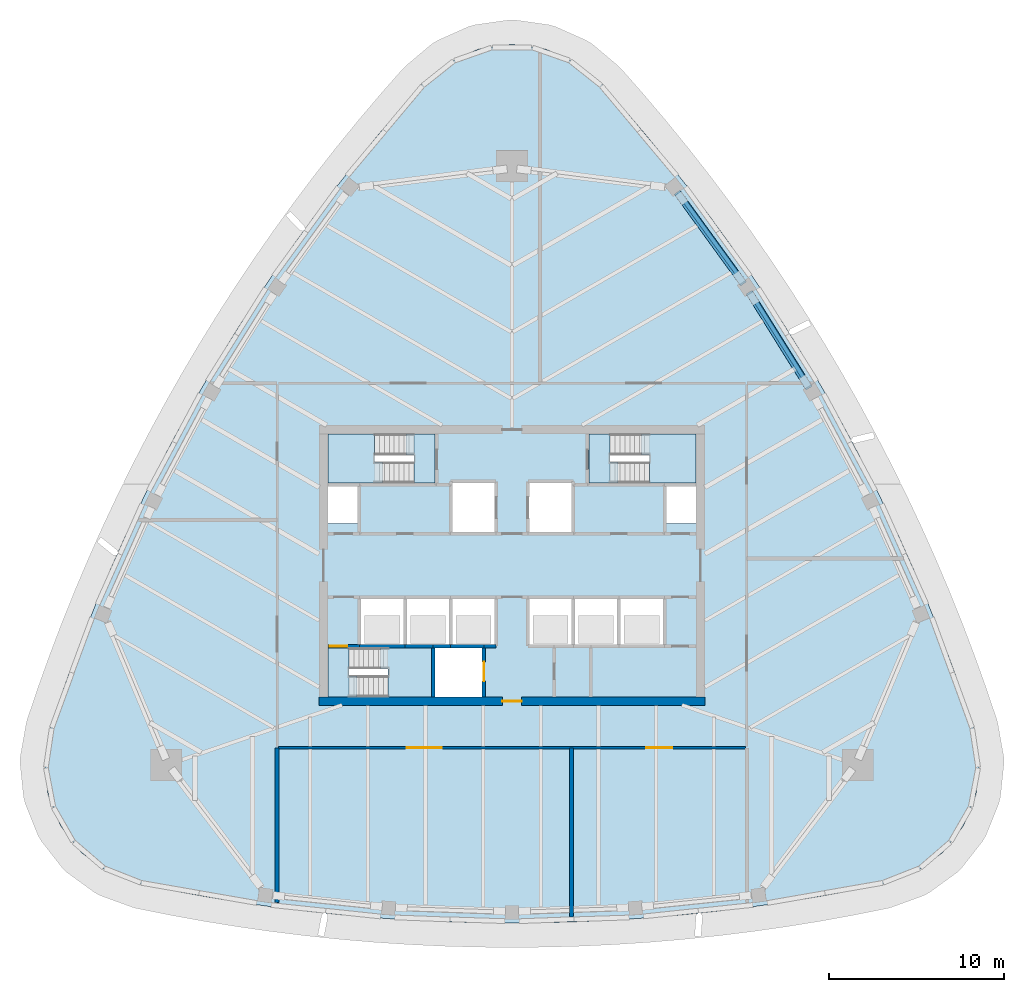
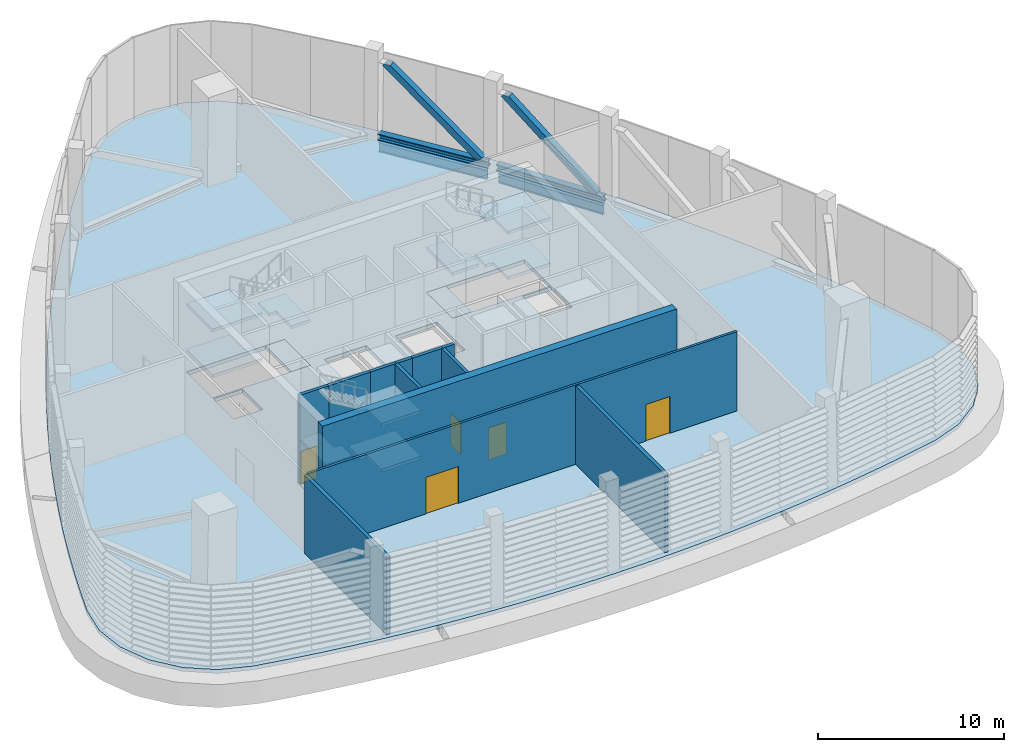
# One storey, part 3 of 15: 13 slabs, 12 walls, 5 doors, 4 beams, 2 members, 5 openings, 3 elements without a shape of their own.
"""IFC4 building model written with IfcOpenShell, lengths in metres."""

from ifc_helpers import new_model, si_unit, direction, frame, frame_2d, origin, origin_2d, place, context, subcontext, project, spatial, polyline, rectangle, hollow_rectangle, i_section, outline, extrude, clip, halfspace, material, layer, layer_set, material_profile, profile_set, type_object, element, fill, aggregate, save


model = new_model("IFC4")

# Units and contexts
model_context = context("Model", 3, precision=1e-05, world=origin(), true_north=direction((0.0, 1.0)))
body_context = subcontext(model_context, "Body", "Model", "MODEL_VIEW")
ifc_project = project(units=[si_unit("LENGTHUNIT", "METRE"), si_unit("AREAUNIT", "SQUARE_METRE"), si_unit("VOLUMEUNIT", "CUBIC_METRE"), si_unit("PLANEANGLEUNIT", "RADIAN"), si_unit("MASSUNIT", "GRAM", prefix="KILO")], contexts=[model_context])

# Site, building, storey
site_placement = place(None, origin())
site = spatial("IfcSite", under=ifc_project, at=site_placement, CompositionType="ELEMENT")
building_placement = place(site_placement, origin())
building = spatial("IfcBuilding", under=site, at=building_placement, Name="Sierra Prisma Convention Tower", CompositionType="ELEMENT")
storey_placement = place(building_placement, frame((0.0, 0.0, 324.39990234375)))
storey = spatial("IfcBuildingStorey", under=building, at=storey_placement, Name="L74", CompositionType="ELEMENT", Elevation=324.39990234375)

# Beams
ifc_material_1 = material(Name="Steel ASTM A992 Gr 50", Category="steel")
ifc_material_profile_1 = material_profile(ifc_material_1, i_section(OverallWidth=0.22998046875, OverallDepth=0.616943359375, WebThickness=0.01318359375, FlangeThickness=0.022216796875, at=origin_2d()), Name="W610x140")
ifc_profile_set_1 = profile_set([ifc_material_profile_1], Name="Steel ASTM A992 Gr 50")
beam_type_1 = type_object("IfcBeamType", Name="Spandrel beam W610x140", PredefinedType="BEAM", material=ifc_profile_set_1)
beam_1_placement = place(storey_placement, frame((16.965087890625, 10.17578125, -0.558349609375), z_axis=(-0.529656135439, 0.848212460526, 0.0), x_axis=(-0.848212460526, -0.529656135439, 0.0)))
element("IfcBeam", 1, at=beam_1_placement, inside=storey, type_object=beam_type_1, Name="Spandrel L74-10", PredefinedType="BEAM", context=body_context, shape_type="SweptSolid", body=[
    extrude(i_section(OverallWidth=0.22998046875, OverallDepth=0.616943359375, WebThickness=0.01318359375, FlangeThickness=0.022216796875, at=origin_2d()), origin(), (0.0, 0.0, 1.0), 6.402587890625),
])
beam_2_placement = place(storey_placement, frame((13.205078125, 16.154052734375, -0.558349609375), z_axis=(-0.586980693747, 0.809600929575, 0.0), x_axis=(-0.809600929575, -0.586980693747, 0.0)))
element("IfcBeam", 2, at=beam_2_placement, inside=storey, type_object=beam_type_1, Name="Spandrel L74-11", PredefinedType="BEAM", context=body_context, shape_type="SweptSolid", body=[
    extrude(i_section(OverallWidth=0.22998046875, OverallDepth=0.616943359375, WebThickness=0.01318359375, FlangeThickness=0.022216796875, at=origin_2d()), origin(), (0.0, 0.0, 1.0), 6.40234375),
])
ifc_material_2 = material(Name="Steel ASTM A992 Gr 50", Category="steel")
ifc_material_profile_2 = material_profile(ifc_material_2, i_section(OverallWidth=0.404052734375, OverallDepth=0.406982421875, WebThickness=0.027099609375, FlangeThickness=0.04443359375, at=origin_2d()), Name="W360x347")
ifc_profile_set_2 = profile_set([ifc_material_profile_2], Name="Steel ASTM A992 Gr 50")
beam_type_2 = type_object("IfcBeamType", Name="Truss chord W360x347", PredefinedType="BEAM", material=ifc_profile_set_2)
beam_3_placement = place(storey_placement, frame((16.951904296875, 10.110595703125, 0.20361328125), z_axis=(-0.529679953111, 0.848197587401, 0.0), x_axis=(-0.848197587401, -0.529679953111, 0.0)))
element("IfcBeam", 3, at=beam_3_placement, inside=storey, type_object=beam_type_2, Name="Belt truss L74-10 bottom chord 1", PredefinedType="BEAM", context=body_context, shape_type="SweptSolid", body=[
    extrude(i_section(OverallWidth=0.404052734375, OverallDepth=0.406982421875, WebThickness=0.027099609375, FlangeThickness=0.04443359375, at=origin_2d()), origin(), (0.0, 0.0, 1.0), 6.467529296875),
])
beam_4_placement = place(storey_placement, frame((13.21337890625, 16.06103515625, 0.20361328125), z_axis=(-0.587039939266, 0.809557971801, 0.0), x_axis=(-0.809557971801, -0.587039939266, 0.0)))
element("IfcBeam", 4, at=beam_4_placement, inside=storey, type_object=beam_type_2, Name="Belt truss L74-11 bottom chord 1", PredefinedType="BEAM", context=body_context, shape_type="SweptSolid", body=[
    extrude(i_section(OverallWidth=0.404052734375, OverallDepth=0.406982421875, WebThickness=0.027099609375, FlangeThickness=0.04443359375, at=origin_2d()), origin(), (0.0, 0.0, 1.0), 6.4677734375),
])

# Members
ifc_material_3 = material(Name="Steel ASTM A500 Gr C", Category="steel")
ifc_material_profile_3 = material_profile(ifc_material_3, hollow_rectangle(XDim=0.406005859375, YDim=0.406005859375, WallThickness=0.01904296875, at=origin_2d()), Name="Truss diagonal HSS 406x406x19")
ifc_profile_set_3 = profile_set([ifc_material_profile_3], Name="Steel ASTM A500 Gr C")
member_type = type_object("IfcMemberType", Name="Truss diagonal HSS 406x406x19", PredefinedType="BRACE", material=ifc_profile_set_3)
member_1_placement = place(storey_placement, frame((16.7216796875, 10.479248046875, 0.406982421875), z_axis=(-0.404712906666, 0.648140472182, 0.645074717764), x_axis=(-0.848218731715, -0.529646092374, 0.0)))
element("IfcMember", 5, at=member_1_placement, inside=storey, type_object=member_type, Name="Belt truss L74-10 diagonal 1", PredefinedType="BRACE", context=body_context, shape_type="SweptSolid", body=[
    clip(clip(extrude(hollow_rectangle(XDim=0.406005859375, YDim=0.406005859375, WallThickness=0.01904296875, at=origin_2d()), origin(), (0.0, 0.0, 1.0), 7.326416015625), halfspace(frame((0.0, 0.011474609375, 0.009765625), z_axis=(0.0, 0.764122978371, 0.645070596079), x_axis=(1.0, 0.0, 0.0)), True)), halfspace(frame((0.0, -0.011474609375, 7.31689453125), z_axis=(0.0, -0.764119498837, -0.645074717764), x_axis=(1.0, 0.0, 0.0)), True)),
])
member_2_placement = place(storey_placement, frame((12.9580078125, 16.4130859375, 0.406982421875), z_axis=(-0.448544895034, 0.618598728567, 0.64509153626), x_axis=(-0.8095726183, -0.587019740468, 0.0)))
element("IfcMember", 6, at=member_2_placement, inside=storey, type_object=member_type, Name="Belt truss L74-11 diagonal 1", PredefinedType="BRACE", context=body_context, shape_type="SweptSolid", body=[
    clip(clip(extrude(hollow_rectangle(XDim=0.406005859375, YDim=0.406005859375, WallThickness=0.01904296875, at=origin_2d()), origin(), (0.0, 0.0, 1.0), 7.326171875), halfspace(frame((0.0, 0.011474609375, 0.009765625), z_axis=(0.0, 0.764109937741, 0.645086043134), x_axis=(1.0, 0.0, 0.0)), True)), halfspace(frame((0.0, -0.011474609375, 7.316650390625), z_axis=(0.0, -0.764105300234, -0.64509153626), x_axis=(1.0, 0.0, 0.0)), True)),
])

# Slab
ifc_material_4 = material(Name="Concrete C35/45", Category="concrete")
ifc_layer_1 = layer(ifc_material_4, 0.25)
ifc_layer_set_1 = layer_set([ifc_layer_1], Name="Convention floor slab 250")
slab_type_1 = type_object("IfcSlabType", Name="Convention floor slab 250", PredefinedType="FLOOR", material=ifc_layer_set_1)
slab_1_placement = place(storey_placement, frame((0.0, 0.0, -0.25)))
element("IfcSlab", 7, at=slab_1_placement, inside=storey, type_object=slab_type_1, Name="Floor slab L74 floor", PredefinedType="FLOOR", context=body_context, shape_type="SweptSolid", body=[
    extrude(outline(polyline([(-21.1650390625, -18.18798828125), (-19.26513671875, -18.5693359375), (-17.358154296875, -18.914794921875), (-15.445068359375, -19.22412109375), (-13.5263671875, -19.497314453125), (-11.60302734375, -19.734130859375), (-9.675537109375, -19.934814453125), (-7.74462890625, -20.09912109375), (-5.810791015625, -20.22705078125), (-3.875, -20.318359375), (-1.937744140625, -20.373046875), (0.0, -20.391357421875), (1.937744140625, -20.373046875), (3.875, -20.318359375), (5.810791015625, -20.22705078125), (7.74462890625, -20.09912109375), (9.675537109375, -19.934814453125), (11.60302734375, -19.734130859375), (13.5263671875, -19.497314453125), (15.445068359375, -19.22412109375), (17.358154296875, -18.914794921875), (19.26513671875, -18.5693359375), (21.1650390625, -18.18798828125), (22.986572265625, -17.528564453125), (24.5546875, -16.3916015625), (25.747802734375, -14.865478515625), (26.472900390625, -13.0693359375), (26.67333984375, -11.142578125), (26.333984375, -9.235595703125), (25.714111328125, -7.3994140625), (25.0595703125, -5.5751953125), (24.37109375, -3.763916015625), (23.6484375, -1.965576171875), (22.891845703125, -0.181396484375), (22.101806640625, 1.588134765625), (21.278564453125, 3.342529296875), (20.422607421875, 5.0810546875), (19.53369140625, 6.80322265625), (18.612548828125, 8.50830078125), (17.659423828125, 10.19580078125), (16.6748046875, 11.86474609375), (15.65869140625, 13.51513671875), (14.611572265625, 15.145751953125), (13.5341796875, 16.756591796875), (12.42626953125, 18.3466796875), (11.288818359375, 19.915771484375), (10.121826171875, 21.462890625), (8.926025390625, 22.98779296875), (7.701416015625, 24.489990234375), (6.448974609375, 25.96875), (5.168701171875, 27.423583984375), (3.68701171875, 28.671142578125), (1.918212890625, 29.460693359375), (0.0, 29.73095703125), (-1.918212890625, 29.460693359375), (-3.68701171875, 28.671142578125), (-5.168701171875, 27.423583984375), (-6.448974609375, 25.96875), (-7.701416015625, 24.489990234375), (-8.926025390625, 22.98779296875), (-10.121826171875, 21.462890625), (-11.288818359375, 19.915771484375), (-12.42626953125, 18.3466796875), (-13.5341796875, 16.756591796875), (-14.611572265625, 15.145751953125), (-15.65869140625, 13.51513671875), (-16.6748046875, 11.86474609375), (-17.659423828125, 10.19580078125), (-18.612548828125, 8.50830078125), (-19.53369140625, 6.80322265625), (-20.422607421875, 5.0810546875), (-21.278564453125, 3.342529296875), (-22.101806640625, 1.588134765625), (-22.891845703125, -0.181396484375), (-23.6484375, -1.965576171875), (-24.37109375, -3.763916015625), (-25.0595703125, -5.5751953125), (-25.714111328125, -7.3994140625), (-26.333984375, -9.235595703125), (-26.67333984375, -11.142578125), (-26.472900390625, -13.0693359375), (-25.747802734375, -14.865478515625), (-24.5546875, -16.3916015625), (-22.986572265625, -17.528564453125), (-21.1650390625, -18.18798828125)]), holes=[polyline([(-4.60009765625, -4.699951171875), (-4.60009765625, -7.5), (-10.5, -7.5), (-10.5, -4.699951171875), (-4.60009765625, -4.699951171875)]), polyline([(-4.5, -7.5), (-4.5, -4.60009765625), (-6.10009765625, -4.60009765625), (-8.699951171875, -4.60009765625), (-8.699951171875, -1.800048828125), (-6.10009765625, -1.800048828125), (-3.5, -1.800048828125), (-0.89990234375, -1.800048828125), (-0.89990234375, -4.60009765625), (-1.60009765625, -4.60009765625), (-1.60009765625, -7.5), (-4.5, -7.5)]), polyline([(-8.699951171875, 2.39990234375), (-10.5, 2.39990234375), (-10.5, 4.60009765625), (-8.699951171875, 4.60009765625), (-8.699951171875, 2.39990234375)]), polyline([(-4.39990234375, 4.699951171875), (-10.5, 4.699951171875), (-10.5, 7.5), (-4.39990234375, 7.5), (-4.39990234375, 4.699951171875)]), polyline([(3.5, -1.800048828125), (6.10009765625, -1.800048828125), (8.699951171875, -1.800048828125), (8.699951171875, -4.60009765625), (6.10009765625, -4.60009765625), (3.5, -4.60009765625), (0.89990234375, -4.60009765625), (0.89990234375, -1.800048828125), (3.5, -1.800048828125)]), polyline([(-0.89990234375, 1.800048828125), (-3.5, 1.800048828125), (-3.5, 4.800048828125), (-0.89990234375, 4.800048828125), (-0.89990234375, 1.800048828125)]), polyline([(3.5, 1.800048828125), (0.89990234375, 1.800048828125), (0.89990234375, 4.800048828125), (3.5, 4.800048828125), (3.5, 1.800048828125)]), polyline([(10.5, 2.39990234375), (8.699951171875, 2.39990234375), (8.699951171875, 4.60009765625), (10.5, 4.60009765625), (10.5, 2.39990234375)]), polyline([(10.5, 4.699951171875), (4.39990234375, 4.699951171875), (4.39990234375, 7.5), (10.5, 7.5), (10.5, 4.699951171875)])]), origin(), (0.0, 0.0, 1.0), 0.25),
])

# Stair, slabs
ifc_material_5 = material(Name="Concrete C30/37", Category="concrete")
stair_type = type_object("IfcStairType", Name="Stair dog-leg 1200 RC", PredefinedType="HALF_TURN_STAIR", material=ifc_material_5)
stair_1_placement = place(storey_placement, origin())
stair_1 = element("IfcStair", 8, at=stair_1_placement, inside=storey, type_object=stair_type, Name="L74 S1", PredefinedType="HALF_TURN_STAIR")
ifc_material_6 = material(Name="Concrete C35/45", Category="concrete")
ifc_layer_2 = layer(ifc_material_6, 0.199951171875)
ifc_layer_set_2 = layer_set([ifc_layer_2], Name="Stair landing slab")
slab_type_2 = type_object("IfcSlabType", Name="Stair landing slab", PredefinedType="LANDING", material=ifc_layer_set_2)
slab_2_placement = place(storey_placement, frame((0.0, 0.0, 1.300048828125)))
slab_2 = element("IfcSlab", 9, at=slab_2_placement, type_object=slab_type_2, Name="S1 landing 1", PredefinedType="LANDING", context=body_context, shape_type="SweptSolid", body=[
    extrude(outline(polyline([(-4.60009765625, -4.699951171875), (-4.60009765625, -7.5), (-7.06201171875, -7.5), (-7.06201171875, -5.89990234375), (-7.510009765625, -5.89990234375), (-7.510009765625, -4.699951171875), (-4.60009765625, -4.699951171875)])), origin(), (0.0, 0.0, 1.0), 0.199951171875),
])
slab_3_placement = place(storey_placement, frame((0.0, 0.0, 2.800048828125)))
slab_3 = element("IfcSlab", 10, at=slab_3_placement, type_object=slab_type_2, Name="S1 landing 2", PredefinedType="LANDING", context=body_context, shape_type="SweptSolid", body=[
    extrude(outline(polyline([(-10.5, -7.5), (-10.5, -4.699951171875), (-9.298095703125, -4.699951171875), (-9.298095703125, -6.300048828125), (-8.85009765625, -6.300048828125), (-8.85009765625, -7.5), (-10.5, -7.5)])), origin(), (0.0, 0.0, 1.0), 0.199951171875),
])
slab_4_placement = place(storey_placement, frame((0.0, 0.0, 4.300048828125)))
slab_4 = element("IfcSlab", 11, at=slab_4_placement, type_object=slab_type_2, Name="S1 landing 3", PredefinedType="LANDING", context=body_context, shape_type="SweptSolid", body=[
    extrude(outline(polyline([(-4.60009765625, -4.699951171875), (-4.60009765625, -7.5), (-7.06201171875, -7.5), (-7.06201171875, -5.89990234375), (-7.510009765625, -5.89990234375), (-7.510009765625, -4.699951171875), (-4.60009765625, -4.699951171875)])), origin(), (0.0, 0.0, 1.0), 0.199951171875),
])
aggregate(stair_1, [slab_2, slab_3, slab_4])

# Slab
slab_5_placement = place(storey_placement, frame((0.0, 0.0, -0.199951171875)))
element("IfcSlab", 12, at=slab_5_placement, inside=storey, type_object=slab_type_2, Name="S1 floor landing L74", PredefinedType="LANDING", context=body_context, shape_type="SweptSolid", body=[
    extrude(outline(polyline([(-10.5, -7.5), (-9.298095703125, -7.5), (-9.298095703125, -4.699951171875), (-10.5, -4.699951171875), (-10.5, -7.5)])), origin(), (0.0, 0.0, 1.0), 0.199951171875),
])

# Stair, slabs
stair_2_placement = place(storey_placement, origin())
stair_2 = element("IfcStair", 13, at=stair_2_placement, inside=storey, type_object=stair_type, Name="L74 S3", PredefinedType="HALF_TURN_STAIR")
slab_6_placement = place(storey_placement, frame((0.0, 0.0, 1.300048828125)))
slab_6 = element("IfcSlab", 14, at=slab_6_placement, type_object=slab_type_2, Name="S3 landing 1", PredefinedType="LANDING", context=body_context, shape_type="SweptSolid", body=[
    extrude(outline(polyline([(-7.389892578125, 5.89990234375), (-7.389892578125, 4.699951171875), (-10.5, 4.699951171875), (-10.5, 7.5), (-7.837890625, 7.5), (-7.837890625, 5.89990234375), (-7.389892578125, 5.89990234375)])), origin(), (0.0, 0.0, 1.0), 0.199951171875),
])
slab_7_placement = place(storey_placement, frame((0.0, 0.0, 2.800048828125)))
slab_7 = element("IfcSlab", 15, at=slab_7_placement, type_object=slab_type_2, Name="S3 landing 2", PredefinedType="LANDING", context=body_context, shape_type="SweptSolid", body=[
    extrude(outline(polyline([(-4.39990234375, 7.5), (-4.39990234375, 4.699951171875), (-5.60205078125, 4.699951171875), (-5.60205078125, 6.300048828125), (-6.050048828125, 6.300048828125), (-6.050048828125, 7.5), (-4.39990234375, 7.5)])), origin(), (0.0, 0.0, 1.0), 0.199951171875),
])
slab_8_placement = place(storey_placement, frame((0.0, 0.0, 4.300048828125)))
slab_8 = element("IfcSlab", 16, at=slab_8_placement, type_object=slab_type_2, Name="S3 landing 3", PredefinedType="LANDING", context=body_context, shape_type="SweptSolid", body=[
    extrude(outline(polyline([(-7.389892578125, 5.89990234375), (-7.389892578125, 4.699951171875), (-10.5, 4.699951171875), (-10.5, 7.5), (-7.837890625, 7.5), (-7.837890625, 5.89990234375), (-7.389892578125, 5.89990234375)])), origin(), (0.0, 0.0, 1.0), 0.199951171875),
])
aggregate(stair_2, [slab_6, slab_7, slab_8])

# Slab
slab_9_placement = place(storey_placement, frame((0.0, 0.0, -0.199951171875)))
element("IfcSlab", 17, at=slab_9_placement, inside=storey, type_object=slab_type_2, Name="S3 floor landing L74", PredefinedType="LANDING", context=body_context, shape_type="SweptSolid", body=[
    extrude(outline(polyline([(-4.39990234375, 7.5), (-5.60205078125, 7.5), (-5.60205078125, 4.699951171875), (-4.39990234375, 4.699951171875), (-4.39990234375, 7.5)])), origin(), (0.0, 0.0, 1.0), 0.199951171875),
])

# Stair, slabs
stair_3_placement = place(storey_placement, origin())
stair_3 = element("IfcStair", 18, at=stair_3_placement, inside=storey, type_object=stair_type, Name="L74 S4", PredefinedType="HALF_TURN_STAIR")
slab_10_placement = place(storey_placement, frame((0.0, 0.0, 1.300048828125)))
slab_10 = element("IfcSlab", 19, at=slab_10_placement, type_object=slab_type_2, Name="S4 landing 1", PredefinedType="LANDING", context=body_context, shape_type="SweptSolid", body=[
    extrude(outline(polyline([(10.5, 7.5), (10.5, 4.699951171875), (7.837890625, 4.699951171875), (7.837890625, 6.300048828125), (7.389892578125, 6.300048828125), (7.389892578125, 7.5), (10.5, 7.5)])), origin(), (0.0, 0.0, 1.0), 0.199951171875),
])
slab_11_placement = place(storey_placement, frame((0.0, 0.0, 2.800048828125)))
slab_11 = element("IfcSlab", 20, at=slab_11_placement, type_object=slab_type_2, Name="S4 landing 2", PredefinedType="LANDING", context=body_context, shape_type="SweptSolid", body=[
    extrude(outline(polyline([(4.39990234375, 4.699951171875), (4.39990234375, 7.5), (5.60205078125, 7.5), (5.60205078125, 5.89990234375), (6.050048828125, 5.89990234375), (6.050048828125, 4.699951171875), (4.39990234375, 4.699951171875)])), origin(), (0.0, 0.0, 1.0), 0.199951171875),
])
slab_12_placement = place(storey_placement, frame((0.0, 0.0, 4.300048828125)))
slab_12 = element("IfcSlab", 21, at=slab_12_placement, type_object=slab_type_2, Name="S4 landing 3", PredefinedType="LANDING", context=body_context, shape_type="SweptSolid", body=[
    extrude(outline(polyline([(10.5, 7.5), (10.5, 4.699951171875), (7.837890625, 4.699951171875), (7.837890625, 6.300048828125), (7.389892578125, 6.300048828125), (7.389892578125, 7.5), (10.5, 7.5)])), origin(), (0.0, 0.0, 1.0), 0.199951171875),
])
aggregate(stair_3, [slab_10, slab_11, slab_12])

# Slab
slab_13_placement = place(storey_placement, frame((0.0, 0.0, -0.199951171875)))
element("IfcSlab", 22, at=slab_13_placement, inside=storey, type_object=slab_type_2, Name="S4 floor landing L74", PredefinedType="LANDING", context=body_context, shape_type="SweptSolid", body=[
    extrude(outline(polyline([(4.39990234375, 4.699951171875), (5.60205078125, 4.699951171875), (5.60205078125, 7.5), (4.39990234375, 7.5), (4.39990234375, 4.699951171875)])), origin(), (0.0, 0.0, 1.0), 0.199951171875),
])

# Wall, opening, door
ifc_material_7 = material(Name="Concrete C30/37", Category="concrete")
ifc_layer_3 = layer(ifc_material_7, 0.199951171875)
ifc_layer_set_3 = layer_set([ifc_layer_3], Name="Core wall RC 200 C30/37")
wall_type_1 = type_object("IfcWallType", Name="Core wall RC 200 C30/37", PredefinedType="SOLIDWALL", material=ifc_layer_set_3)
wall_1_placement = place(storey_placement, frame((-10.5, -4.60009765625, 0.0), z_axis=(0.0, 0.0, 1.0), x_axis=(1.0, 0.0, 0.0)))
wall_1 = element("IfcWall", 23, at=wall_1_placement, inside=storey, type_object=wall_type_1, Name="Core wall L74 1", PredefinedType="SOLIDWALL", context=body_context, shape_type="SweptSolid", body=[
    extrude(rectangle(XDim=1.800048828125, YDim=0.199951171875, at=frame_2d((0.89990234375, 0.0))), origin(), (0.0, 0.0, 1.0), 5.85009765625),
])
opening_1_placement = place(wall_1_placement, frame((0.10009765625, 0.0, 0.0)))
opening_1 = element("IfcOpeningElement", 24, at=opening_1_placement, cuts=wall_1, Name="Opening L74-D009", PredefinedType="OPENING", context=body_context, shape_type="SweptSolid", body=[
    extrude(rectangle(XDim=1.0, YDim=2.10009765625, at=frame_2d((0.5, 1.050048828125))), frame((0.0, 0.10009765625, 0.0), z_axis=(0.0, -1.0, 0.0), x_axis=(1.0, 0.0, 0.0)), (0.0, 0.0, 1.0), 0.199951171875),
])
ifc_material_8 = material(Name="Steel fire door leaf", Category="steel")
door_type_1 = type_object("IfcDoorType", Name="Door 1000x2100 FD90S", OperationType="SINGLE_SWING_LEFT", PredefinedType="DOOR", material=ifc_material_8)
door_1_placement = place(opening_1_placement, origin())
door_1 = element("IfcDoor", 25, at=door_1_placement, inside=storey, type_object=door_type_1, Name="Door L74 17", OperationType="SINGLE_SWING_LEFT", OverallHeight=2.10009765625, OverallWidth=1.0, PredefinedType="DOOR", context=body_context, shape_type="SweptSolid", body=[
    extrude(rectangle(XDim=1.0, YDim=2.10009765625, at=frame_2d((0.5, 1.050048828125))), frame((0.0, 0.02490234375, 0.0), z_axis=(0.0, -1.0, 0.0), x_axis=(1.0, 0.0, 0.0)), (0.0, 0.0, 1.0), 0.050048828125),
])
fill(opening_1, door_1)

# Walls
wall_2_placement = place(storey_placement, frame((-8.699951171875, -4.60009765625, 0.0), z_axis=(0.0, 0.0, 1.0), x_axis=(1.0, 0.0, 0.0)))
element("IfcWall", 26, at=wall_2_placement, inside=storey, type_object=wall_type_1, Name="Core wall L74 5", PredefinedType="SOLIDWALL", context=body_context, shape_type="SweptSolid", body=[
    extrude(rectangle(XDim=2.599853515625, YDim=0.199951171875, at=frame_2d((1.2998046875, 0.0))), origin(), (0.0, 0.0, 1.0), 5.85009765625),
])
wall_3_placement = place(storey_placement, frame((-6.10009765625, -4.60009765625, 0.0), z_axis=(0.0, 0.0, 1.0), x_axis=(1.0, 0.0, 0.0)))
element("IfcWall", 27, at=wall_3_placement, inside=storey, type_object=wall_type_1, Name="Core wall L74 11", PredefinedType="SOLIDWALL", context=body_context, shape_type="SweptSolid", body=[
    extrude(rectangle(XDim=1.60009765625, YDim=0.199951171875, at=frame_2d((0.800048828125, 0.0))), origin(), (0.0, 0.0, 1.0), 5.85009765625),
])
wall_4_placement = place(storey_placement, frame((-4.5, -4.60009765625, 0.0), z_axis=(0.0, 0.0, 1.0), x_axis=(0.0, -1.0, 0.0)))
element("IfcWall", 28, at=wall_4_placement, inside=storey, type_object=wall_type_1, Name="Core wall L74 14", PredefinedType="SOLIDWALL", context=body_context, shape_type="SweptSolid", body=[
    extrude(rectangle(XDim=2.89990234375, YDim=0.199951171875, at=frame_2d((1.449951171875, 0.0))), origin(), (0.0, 0.0, 1.0), 5.85009765625),
])
wall_5_placement = place(storey_placement, frame((-4.5, -4.60009765625, 0.0), z_axis=(0.0, 0.0, 1.0), x_axis=(1.0, 0.0, 0.0)))
element("IfcWall", 29, at=wall_5_placement, inside=storey, type_object=wall_type_1, Name="Core wall L74 15", PredefinedType="SOLIDWALL", context=body_context, shape_type="SweptSolid", body=[
    extrude(rectangle(XDim=1.0, YDim=0.199951171875, at=frame_2d((0.5, 0.0))), origin(), (0.0, 0.0, 1.0), 5.85009765625),
])
wall_6_placement = place(storey_placement, frame((-3.5, -4.60009765625, 0.0), z_axis=(0.0, 0.0, 1.0), x_axis=(1.0, 0.0, 0.0)))
element("IfcWall", 30, at=wall_6_placement, inside=storey, type_object=wall_type_1, Name="Core wall L74 18", PredefinedType="SOLIDWALL", context=body_context, shape_type="SweptSolid", body=[
    extrude(rectangle(XDim=1.89990234375, YDim=0.199951171875, at=frame_2d((0.949951171875, 0.0))), origin(), (0.0, 0.0, 1.0), 5.85009765625),
])

# Wall, opening, door
wall_7_placement = place(storey_placement, frame((-1.60009765625, -7.5, 0.0), z_axis=(0.0, 0.0, 1.0), x_axis=(0.0, 1.0, 0.0)))
wall_7 = element("IfcWall", 31, at=wall_7_placement, inside=storey, type_object=wall_type_1, Name="Core wall L74 26", PredefinedType="SOLIDWALL", context=body_context, shape_type="SweptSolid", body=[
    extrude(rectangle(XDim=2.89990234375, YDim=0.199951171875, at=frame_2d((1.449951171875, 0.0))), origin(), (0.0, 0.0, 1.0), 5.85009765625),
])
opening_2_placement = place(wall_7_placement, frame((0.89990234375, 0.0, 0.0)))
opening_2 = element("IfcOpeningElement", 32, at=opening_2_placement, cuts=wall_7, Name="Opening L74-D003", PredefinedType="OPENING", context=body_context, shape_type="SweptSolid", body=[
    extrude(rectangle(XDim=1.10009765625, YDim=2.10009765625, at=frame_2d((0.550048828125, 1.050048828125))), frame((0.0, 0.10009765625, 0.0), z_axis=(0.0, -1.0, 0.0), x_axis=(1.0, 0.0, 0.0)), (0.0, 0.0, 1.0), 0.199951171875),
])
ifc_material_9 = material(Name="Steel fire door leaf", Category="steel")
door_type_2 = type_object("IfcDoorType", Name="Door 1100x2100 EI 90 sliding lift landing", OperationType="SLIDING_TO_LEFT", PredefinedType="DOOR", material=ifc_material_9)
door_2_placement = place(opening_2_placement, origin())
door_2 = element("IfcDoor", 33, at=door_2_placement, inside=storey, type_object=door_type_2, Name="Door L74 11", OperationType="SLIDING_TO_LEFT", OverallHeight=2.10009765625, OverallWidth=1.10009765625, PredefinedType="DOOR", context=body_context, shape_type="SweptSolid", body=[
    extrude(rectangle(XDim=1.10009765625, YDim=2.10009765625, at=frame_2d((0.550048828125, 1.050048828125))), frame((0.0, 0.02490234375, 0.0), z_axis=(0.0, -1.0, 0.0), x_axis=(1.0, 0.0, 0.0)), (0.0, 0.0, 1.0), 0.050048828125),
])
fill(opening_2, door_2)

# Wall
wall_8_placement = place(storey_placement, frame((-1.60009765625, -4.60009765625, 0.0), z_axis=(0.0, 0.0, 1.0), x_axis=(1.0, 0.0, 0.0)))
element("IfcWall", 34, at=wall_8_placement, inside=storey, type_object=wall_type_1, Name="Core wall L74 27", PredefinedType="SOLIDWALL", context=body_context, shape_type="SweptSolid", body=[
    extrude(rectangle(XDim=0.7001953125, YDim=0.199951171875, at=frame_2d((0.35009765625, 0.0))), origin(), (0.0, 0.0, 1.0), 5.85009765625),
])

# Wall, opening, door
ifc_material_10 = material(Name="Concrete C50/60", Category="concrete")
ifc_layer_4 = layer(ifc_material_10, 0.5)
ifc_layer_set_4 = layer_set([ifc_layer_4], Name="Core wall RC 500 C50/60")
wall_type_2 = type_object("IfcWallType", Name="Core wall RC 500 C50/60", PredefinedType="SHEAR", material=ifc_layer_set_4)
wall_9_placement = place(storey_placement, frame((-11.0, -7.75, 0.0), z_axis=(0.0, 0.0, 1.0), x_axis=(1.0, 0.0, 0.0)))
wall_9 = element("IfcWall", 35, at=wall_9_placement, inside=storey, type_object=wall_type_2, Name="Core wall S L74", PredefinedType="SHEAR", context=body_context, shape_type="SweptSolid", body=[
    extrude(rectangle(XDim=22.0, YDim=0.5, at=frame_2d((11.0, 0.0))), origin(), (0.0, 0.0, 1.0), 6.0),
])
opening_3_placement = place(wall_9_placement, frame((10.449951171875, 0.0, 0.0)))
opening_3 = element("IfcOpeningElement", 36, at=opening_3_placement, cuts=wall_9, Name="Opening L74-D027", PredefinedType="OPENING", context=body_context, shape_type="SweptSolid", body=[
    extrude(rectangle(XDim=1.10009765625, YDim=2.10009765625, at=frame_2d((0.550048828125, 1.050048828125))), frame((0.0, 0.25, 0.0), z_axis=(0.0, -1.0, 0.0), x_axis=(1.0, 0.0, 0.0)), (0.0, 0.0, 1.0), 0.5),
])
ifc_material_11 = material(Name="Steel fire door leaf", Category="steel")
door_type_3 = type_object("IfcDoorType", Name="Door 1100x2100 FD30S", OperationType="SINGLE_SWING_LEFT", PredefinedType="DOOR", material=ifc_material_11)
door_3_placement = place(opening_3_placement, origin())
door_3 = element("IfcDoor", 37, at=door_3_placement, inside=storey, type_object=door_type_3, Name="Door L74 28", OperationType="SINGLE_SWING_LEFT", OverallHeight=2.10009765625, OverallWidth=1.10009765625, PredefinedType="DOOR", context=body_context, shape_type="SweptSolid", body=[
    extrude(rectangle(XDim=1.10009765625, YDim=2.10009765625, at=frame_2d((0.550048828125, 1.050048828125))), frame((0.0, 0.02490234375, 0.0), z_axis=(0.0, -1.0, 0.0), x_axis=(1.0, 0.0, 0.0)), (0.0, 0.0, 1.0), 0.050048828125),
])
fill(opening_3, door_3)

# Wall, openings, doors
ifc_material_12 = material(Name="Gypsum board partition", Category="gypsum")
ifc_layer_5 = layer(ifc_material_12, 0.14990234375)
ifc_layer_set_5 = layer_set([ifc_layer_5], Name="Corridor wall 150 gypsum EI 60")
wall_type_3 = type_object("IfcWallType", Name="Corridor wall 150 gypsum EI 60", PredefinedType="PARTITIONING", material=ifc_layer_set_5)
wall_10_placement = place(storey_placement, frame((-13.320068359375, -10.39990234375, 0.0), z_axis=(0.0, 0.0, 1.0), x_axis=(1.0, 0.0, 0.0)))
wall_10 = element("IfcWall", 38, at=wall_10_placement, inside=storey, type_object=wall_type_3, Name="Partition L74 corr 2", PredefinedType="PARTITIONING", context=body_context, shape_type="SweptSolid", body=[
    extrude(rectangle(XDim=26.64013671875, YDim=0.14990234375, at=frame_2d((13.320068359375, 0.0))), origin(), (0.0, 0.0, 1.0), 5.2060546875),
])
opening_4_placement = place(wall_10_placement, frame((7.320068359375, 0.0, 0.0)))
opening_4 = element("IfcOpeningElement", 39, at=opening_4_placement, cuts=wall_10, Name="Opening L74-D022", PredefinedType="OPENING", context=body_context, shape_type="SweptSolid", body=[
    extrude(rectangle(XDim=2.0, YDim=2.39990234375, at=frame_2d((1.0, 1.199951171875))), frame((0.0, 0.074951171875, 0.0), z_axis=(0.0, -1.0, 0.0), x_axis=(1.0, 0.0, 0.0)), (0.0, 0.0, 1.0), 0.14990234375),
])
opening_5_placement = place(wall_10_placement, frame((20.969970703125, 0.0, 0.0)))
opening_5 = element("IfcOpeningElement", 40, at=opening_5_placement, cuts=wall_10, Name="Opening L74-D023", PredefinedType="OPENING", context=body_context, shape_type="SweptSolid", body=[
    extrude(rectangle(XDim=1.5, YDim=2.39990234375, at=frame_2d((0.75, 1.199951171875))), frame((0.0, 0.074951171875, 0.0), z_axis=(0.0, -1.0, 0.0), x_axis=(1.0, 0.0, 0.0)), (0.0, 0.0, 1.0), 0.14990234375),
])
ifc_material_13 = material(Name="Steel fire door leaf", Category="steel")
door_type_4 = type_object("IfcDoorType", Name="Door 1500x2400 FD60S", OperationType="DOUBLE_DOOR_SINGLE_SWING", PredefinedType="DOOR", material=ifc_material_13)
door_4_placement = place(opening_5_placement, origin())
door_4 = element("IfcDoor", 41, at=door_4_placement, inside=storey, type_object=door_type_4, Name="Door L74 7", OperationType="DOUBLE_DOOR_SINGLE_SWING", OverallHeight=2.39990234375, OverallWidth=1.5, PredefinedType="DOOR", context=body_context, shape_type="SweptSolid", body=[
    extrude(rectangle(XDim=1.5, YDim=2.39990234375, at=frame_2d((0.75, 1.199951171875))), frame((0.0, 0.02490234375, 0.0), z_axis=(0.0, -1.0, 0.0), x_axis=(1.0, 0.0, 0.0)), (0.0, 0.0, 1.0), 0.050048828125),
])
fill(opening_5, door_4)
ifc_material_14 = material(Name="Steel fire door leaf", Category="steel")
door_type_5 = type_object("IfcDoorType", Name="Door 2000x2400 FD60S", OperationType="DOUBLE_DOOR_SINGLE_SWING", PredefinedType="DOOR", material=ifc_material_14)
door_5_placement = place(opening_4_placement, origin())
door_5 = element("IfcDoor", 42, at=door_5_placement, inside=storey, type_object=door_type_5, Name="Door L74 6", OperationType="DOUBLE_DOOR_SINGLE_SWING", OverallHeight=2.39990234375, OverallWidth=2.0, PredefinedType="DOOR", context=body_context, shape_type="SweptSolid", body=[
    extrude(rectangle(XDim=2.0, YDim=2.39990234375, at=frame_2d((1.0, 1.199951171875))), frame((0.0, 0.02490234375, 0.0), z_axis=(0.0, -1.0, 0.0), x_axis=(1.0, 0.0, 0.0)), (0.0, 0.0, 1.0), 0.050048828125),
])
fill(opening_4, door_5)

# Walls
ifc_material_15 = material(Name="Hollow clay block masonry", Category="masonry")
ifc_layer_6 = layer(ifc_material_15, 0.215087890625)
ifc_layer_set_6 = layer_set([ifc_layer_6], Name="Plant room wall 215 blockwork EI 120")
wall_type_4 = type_object("IfcWallType", Name="Plant room wall 215 blockwork EI 120", PredefinedType="PARTITIONING", material=ifc_layer_set_6)
wall_11_placement = place(storey_placement, frame((-13.39990234375, -10.39990234375, 0.0), z_axis=(0.0, 0.0, 1.0), x_axis=(0.0, -1.0, 0.0)))
element("IfcWall", 43, at=wall_11_placement, inside=storey, type_object=wall_type_4, Name="Partition L74 plant 3", PredefinedType="PARTITIONING", context=body_context, shape_type="SweptSolid", body=[
    extrude(rectangle(XDim=8.830810546875, YDim=0.215087890625, at=frame_2d((4.41552734375, 0.0))), origin(), (0.0, 0.0, 1.0), 5.133056640625),
])
wall_12_placement = place(storey_placement, frame((3.39990234375, -10.39990234375, 0.0), z_axis=(0.0, 0.0, 1.0), x_axis=(0.0, -1.0, 0.0)))
element("IfcWall", 44, at=wall_12_placement, inside=storey, type_object=wall_type_4, Name="Partition L74 plant 5", PredefinedType="PARTITIONING", context=body_context, shape_type="SweptSolid", body=[
    extrude(rectangle(XDim=9.65185546875, YDim=0.215087890625, at=frame_2d((4.825927734375, 0.0))), origin(), (0.0, 0.0, 1.0), 5.133056640625),
])

save(model, "model.ifc")
